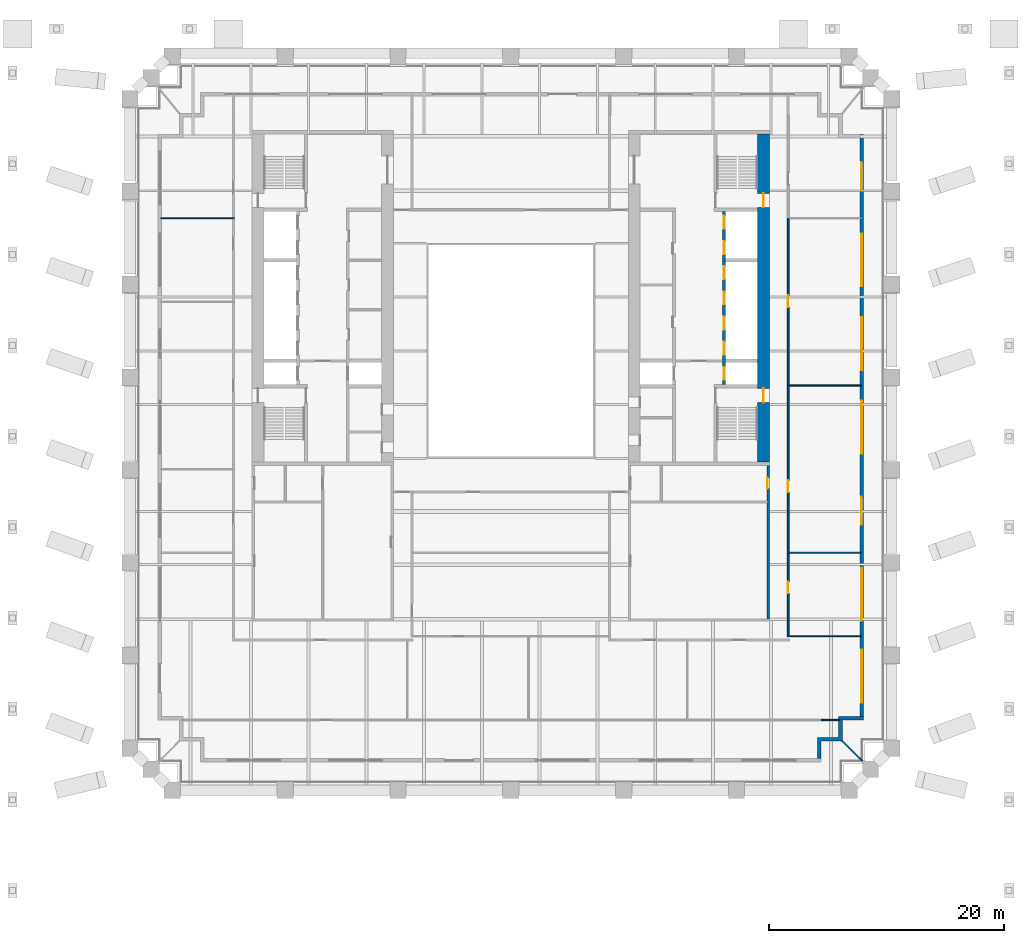
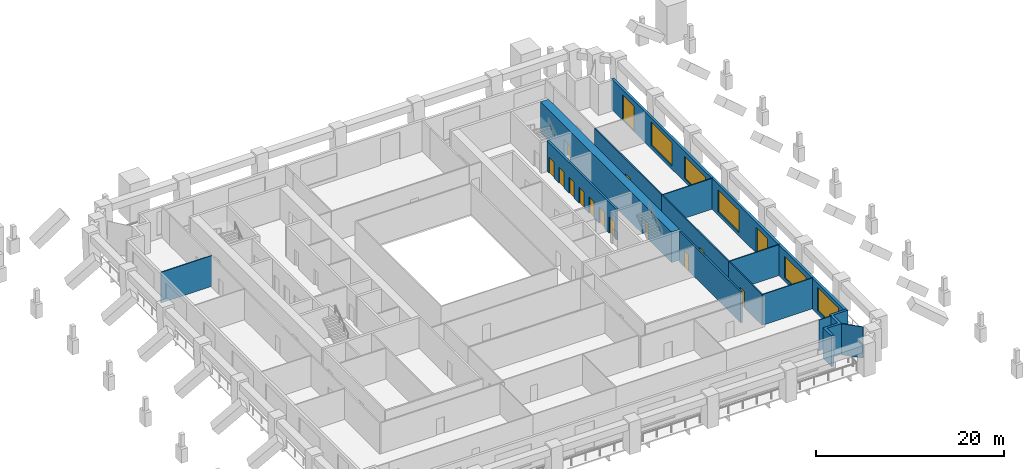
# One storey, part 6 of 10: 15 doors, 14 walls, 5 windows, 20 openings.
"""IFC4 building model written with IfcOpenShell, lengths in metres."""

from ifc_helpers import new_model, si_unit, direction, frame, frame_2d, origin, place, context, subcontext, project, spatial, polyline, rectangle, outline, extrude, material, layer, layer_set, type_object, element, fill, save


model = new_model("IFC4")

# Units and contexts
model_context = context("Model", 3, precision=1e-05, world=origin(), true_north=direction((0.0, 1.0)))
body_context = subcontext(model_context, "Body", "Model", "MODEL_VIEW")
ifc_project = project(units=[si_unit("LENGTHUNIT", "METRE"), si_unit("AREAUNIT", "SQUARE_METRE"), si_unit("VOLUMEUNIT", "CUBIC_METRE"), si_unit("PLANEANGLEUNIT", "RADIAN"), si_unit("MASSUNIT", "GRAM", prefix="KILO")], contexts=[model_context])

# Site, building, storey
site_placement = place(None, origin())
site = spatial("IfcSite", under=ifc_project, at=site_placement, CompositionType="ELEMENT")
building_placement = place(site_placement, origin())
building = spatial("IfcBuilding", under=site, at=building_placement, Name="Ogive Exchange Tower", CompositionType="ELEMENT")
storey_placement = place(building_placement, frame((0.0, 0.0, 39.60009765625)))
storey = spatial("IfcBuildingStorey", under=building, at=storey_placement, Name="L07", CompositionType="ELEMENT", Elevation=39.60009765625)

# Wall, opening, door
ifc_material_1 = material(Name="Fire partition EI 60 150")
ifc_layer_1 = layer(ifc_material_1, 0.14990234375)
ifc_layer_set_1 = layer_set([ifc_layer_1], Name="Fire partition EI 60 150")
wall_type_1 = type_object("IfcWallType", Name="Fire partition EI 60 150", PredefinedType="PARTITIONING", material=ifc_layer_set_1)
wall_1_placement = place(storey_placement, frame((23.60009765625, -10.219970703125, 0.0), z_axis=(0.0, 0.0, 1.0), x_axis=(0.0, -1.0, 0.0)))
wall_1 = element("IfcWall", 1, at=wall_1_placement, inside=storey, type_object=wall_type_1, Name="L07-PWL-038", PredefinedType="PARTITIONING", context=body_context, shape_type="SweptSolid", body=[
    extrude(rectangle(XDim=7.1201171875, YDim=0.14990234375, at=frame_2d((3.56005859375, 0.0))), origin(), (0.0, 0.0, 1.0), 4.0),
])
opening_1_placement = place(wall_1_placement, frame((2.419921875, 0.0, 0.0)))
opening_1 = element("IfcOpeningElement", 2, at=opening_1_placement, cuts=wall_1, Name="Opening L07-I15", PredefinedType="OPENING", context=body_context, shape_type="SweptSolid", body=[
    extrude(rectangle(XDim=1.0, YDim=2.10009765625, at=frame_2d((0.5, 1.050048828125))), frame((0.0, 0.0849609375, 0.0), z_axis=(0.0, -1.0, 0.0), x_axis=(1.0, 0.0, 0.0)), (0.0, 0.0, 1.0), 0.169921875),
])
ifc_material_2 = material(Name="Fire door FD 30S 1000 x 2100")
door_type_1 = type_object("IfcDoorType", Name="Fire door FD 30S 1000 x 2100", OperationType="NOTDEFINED", PredefinedType="DOOR", material=ifc_material_2)
door_1_placement = place(opening_1_placement, origin())
door_1 = element("IfcDoor", 3, at=door_1_placement, inside=storey, type_object=door_type_1, Name="L07-IDR-015", ObjectType="DT3", OperationType="SINGLE_SWING_RIGHT", OverallHeight=2.10009765625, OverallWidth=1.0, PredefinedType="DOOR", context=body_context, shape_type="SweptSolid", body=[
    extrude(rectangle(XDim=1.0, YDim=2.10009765625, at=frame_2d((0.5, 1.050048828125))), frame((0.0, 0.02490234375, 0.0), z_axis=(0.0, -1.0, 0.0), x_axis=(1.0, 0.0, 0.0)), (0.0, 0.0, 1.0), 0.050048828125),
])
fill(opening_1, door_1)

wall_2_placement = place(storey_placement, frame((23.60009765625, 4.110107421875, 0.0), z_axis=(0.0, 0.0, 1.0), x_axis=(0.0, -1.0, 0.0)))
wall_2 = element("IfcWall", 4, at=wall_2_placement, inside=storey, type_object=wall_type_1, Name="L07-PWL-039", PredefinedType="PARTITIONING", context=body_context, shape_type="SweptSolid", body=[
    extrude(rectangle(XDim=14.330078125, YDim=0.14990234375, at=frame_2d((7.1650390625, 0.0))), origin(), (0.0, 0.0, 1.0), 4.0),
])
opening_2_placement = place(wall_2_placement, frame((8.1298828125, 0.0, 0.0)))
opening_2 = element("IfcOpeningElement", 5, at=opening_2_placement, cuts=wall_2, Name="Opening L07-I05", PredefinedType="OPENING", context=body_context, shape_type="SweptSolid", body=[
    extrude(rectangle(XDim=1.0, YDim=2.10009765625, at=frame_2d((0.5, 1.050048828125))), frame((0.0, 0.0849609375, 0.0), z_axis=(0.0, -1.0, 0.0), x_axis=(1.0, 0.0, 0.0)), (0.0, 0.0, 1.0), 0.169921875),
])
door_2_placement = place(opening_2_placement, origin())
door_2 = element("IfcDoor", 6, at=door_2_placement, inside=storey, type_object=door_type_1, Name="L07-IDR-005", ObjectType="DT3", OperationType="SINGLE_SWING_RIGHT", OverallHeight=2.10009765625, OverallWidth=1.0, PredefinedType="DOOR", context=body_context, shape_type="SweptSolid", body=[
    extrude(rectangle(XDim=1.0, YDim=2.10009765625, at=frame_2d((0.5, 1.050048828125))), frame((0.0, 0.02490234375, 0.0), z_axis=(0.0, -1.0, 0.0), x_axis=(1.0, 0.0, 0.0)), (0.0, 0.0, 1.0), 0.050048828125),
])
fill(opening_2, door_2)

wall_3_placement = place(storey_placement, frame((23.60009765625, 18.340087890625, 0.0), z_axis=(0.0, 0.0, 1.0), x_axis=(0.0, -1.0, 0.0)))
wall_3 = element("IfcWall", 7, at=wall_3_placement, inside=storey, type_object=wall_type_1, Name="L07-PWL-041", PredefinedType="PARTITIONING", context=body_context, shape_type="SweptSolid", body=[
    extrude(rectangle(XDim=14.22998046875, YDim=0.14990234375, at=frame_2d((7.114990234375, 0.0))), origin(), (0.0, 0.0, 1.0), 4.0),
])
opening_3_placement = place(wall_3_placement, frame((6.6298828125, 0.0, 0.0)))
opening_3 = element("IfcOpeningElement", 8, at=opening_3_placement, cuts=wall_3, Name="Opening L07-I06", PredefinedType="OPENING", context=body_context, shape_type="SweptSolid", body=[
    extrude(rectangle(XDim=1.0, YDim=2.10009765625, at=frame_2d((0.5, 1.050048828125))), frame((0.0, 0.0849609375, 0.0), z_axis=(0.0, -1.0, 0.0), x_axis=(1.0, 0.0, 0.0)), (0.0, 0.0, 1.0), 0.169921875),
])
door_3_placement = place(opening_3_placement, origin())
door_3 = element("IfcDoor", 9, at=door_3_placement, inside=storey, type_object=door_type_1, Name="L07-IDR-006", ObjectType="DT3", OperationType="SINGLE_SWING_RIGHT", OverallHeight=2.10009765625, OverallWidth=1.0, PredefinedType="DOOR", context=body_context, shape_type="SweptSolid", body=[
    extrude(rectangle(XDim=1.0, YDim=2.10009765625, at=frame_2d((0.5, 1.050048828125))), frame((0.0, 0.02490234375, 0.0), z_axis=(0.0, -1.0, 0.0), x_axis=(1.0, 0.0, 0.0)), (0.0, 0.0, 1.0), 0.050048828125),
])
fill(opening_3, door_3)

# Wall, openings, doors, windows
ifc_material_3 = material(Name="Precast concrete C40/50", Category="concrete")
ifc_layer_2 = layer(ifc_material_3, 0.300048828125)
ifc_layer_set_2 = layer_set([ifc_layer_2], Name="Limestone-faced wall 300")
wall_type_2 = type_object("IfcWallType", Name="Limestone-faced wall 300", PredefinedType="STANDARD", material=ifc_layer_set_2)
wall_4_placement = place(storey_placement, frame((29.85009765625, -24.10009765625, 0.0), z_axis=(0.0, 0.0, 1.0), x_axis=(0.0, 1.0, 0.0)))
wall_4 = element("IfcWall", 10, at=wall_4_placement, inside=storey, type_object=wall_type_2, Name="External wall E2", PredefinedType="STANDARD", context=body_context, shape_type="SweptSolid", body=[
    extrude(rectangle(XDim=49.5, YDim=0.300048828125, at=frame_2d((24.75, 0.0))), origin(), (0.0, 0.0, 1.0), 4.0),
])
opening_4_placement = place(wall_4_placement, frame((1.156982421875, 0.0, 0.449951171875)))
opening_4 = element("IfcOpeningElement", 11, at=opening_4_placement, cuts=wall_4, Name="Opening W1", PredefinedType="OPENING", context=body_context, shape_type="SweptSolid", body=[
    extrude(rectangle(XDim=4.5, YDim=3.050048828125, at=frame_2d((2.25, 1.52490234375))), frame((0.0, 0.159912109375, 0.0), z_axis=(0.0, -1.0, 0.0), x_axis=(1.0, 0.0, 0.0)), (0.0, 0.0, 1.0), 0.320068359375),
])
opening_5_placement = place(wall_4_placement, frame((8.121337890625, 0.0, 0.449951171875)))
opening_5 = element("IfcOpeningElement", 12, at=opening_5_placement, cuts=wall_4, Name="Opening W1E", PredefinedType="OPENING", context=body_context, shape_type="SweptSolid", body=[
    extrude(rectangle(XDim=4.5, YDim=2.824951171875, at=frame_2d((2.25, 1.41259765625))), frame((0.0, 0.159912109375, 0.0), z_axis=(0.0, -1.0, 0.0), x_axis=(1.0, 0.0, 0.0)), (0.0, 0.0, 1.0), 0.320068359375),
])
opening_6_placement = place(wall_4_placement, frame((16.28564453125, 0.0, 0.0)))
opening_6 = element("IfcOpeningElement", 13, at=opening_6_placement, cuts=wall_4, Name="Opening D1C", PredefinedType="OPENING", context=body_context, shape_type="SweptSolid", body=[
    extrude(rectangle(XDim=2.39990234375, YDim=3.324951171875, at=frame_2d((1.199951171875, 1.66259765625))), frame((0.0, 0.159912109375, 0.0), z_axis=(0.0, -1.0, 0.0), x_axis=(1.0, 0.0, 0.0)), (0.0, 0.0, 1.0), 0.320068359375),
])
opening_7_placement = place(wall_4_placement, frame((22.35009765625, 0.0, 0.449951171875)))
opening_7 = element("IfcOpeningElement", 14, at=opening_7_placement, cuts=wall_4, Name="Opening W1D", PredefinedType="OPENING", context=body_context, shape_type="SweptSolid", body=[
    extrude(rectangle(XDim=4.5, YDim=2.875, at=frame_2d((2.25, 1.4375))), frame((0.0, 0.159912109375, 0.0), z_axis=(0.0, -1.0, 0.0), x_axis=(1.0, 0.0, 0.0)), (0.0, 0.0, 1.0), 0.320068359375),
])
opening_8_placement = place(wall_4_placement, frame((29.464111328125, 0.0, 0.449951171875)))
opening_8 = element("IfcOpeningElement", 15, at=opening_8_placement, cuts=wall_4, Name="Opening W1D", PredefinedType="OPENING", context=body_context, shape_type="SweptSolid", body=[
    extrude(rectangle(XDim=4.5, YDim=2.875, at=frame_2d((2.25, 1.4375))), frame((0.0, 0.159912109375, 0.0), z_axis=(0.0, -1.0, 0.0), x_axis=(1.0, 0.0, 0.0)), (0.0, 0.0, 1.0), 0.320068359375),
])
opening_9_placement = place(wall_4_placement, frame((36.57861328125, 0.0, 0.449951171875)))
opening_9 = element("IfcOpeningElement", 16, at=opening_9_placement, cuts=wall_4, Name="Opening W1", PredefinedType="OPENING", context=body_context, shape_type="SweptSolid", body=[
    extrude(rectangle(XDim=4.5, YDim=3.050048828125, at=frame_2d((2.25, 1.52490234375))), frame((0.0, 0.159912109375, 0.0), z_axis=(0.0, -1.0, 0.0), x_axis=(1.0, 0.0, 0.0)), (0.0, 0.0, 1.0), 0.320068359375),
])
opening_10_placement = place(wall_4_placement, frame((44.742919921875, 0.0, 0.0)))
opening_10 = element("IfcOpeningElement", 17, at=opening_10_placement, cuts=wall_4, Name="Opening D1C", PredefinedType="OPENING", context=body_context, shape_type="SweptSolid", body=[
    extrude(rectangle(XDim=2.39990234375, YDim=3.324951171875, at=frame_2d((1.199951171875, 1.66259765625))), frame((0.0, 0.159912109375, 0.0), z_axis=(0.0, -1.0, 0.0), x_axis=(1.0, 0.0, 0.0)), (0.0, 0.0, 1.0), 0.320068359375),
])
ifc_material_4 = material(Name="Clear glass in bronze frame", Category="glass")
door_type_2 = type_object("IfcDoorType", Name="Sliding loggia door 2400 x 3325", OperationType="DOUBLE_DOOR_SLIDING", PredefinedType="DOOR", material=ifc_material_4)
door_4_placement = place(opening_6_placement, origin())
door_4 = element("IfcDoor", 18, at=door_4_placement, inside=storey, type_object=door_type_2, Name="Loggia door E02", OperationType="DOUBLE_DOOR_SLIDING", OverallHeight=3.324951171875, OverallWidth=2.39990234375, PredefinedType="DOOR", context=body_context, shape_type="SweptSolid", body=[
    extrude(rectangle(XDim=2.39990234375, YDim=3.324951171875, at=frame_2d((1.199951171875, 1.66259765625))), frame((0.0, 0.02490234375, 0.0), z_axis=(0.0, -1.0, 0.0), x_axis=(1.0, 0.0, 0.0)), (0.0, 0.0, 1.0), 0.050048828125),
])
fill(opening_6, door_4)
door_5_placement = place(opening_10_placement, origin())
door_5 = element("IfcDoor", 19, at=door_5_placement, inside=storey, type_object=door_type_2, Name="Loggia door E06", OperationType="DOUBLE_DOOR_SLIDING", OverallHeight=3.324951171875, OverallWidth=2.39990234375, PredefinedType="DOOR", context=body_context, shape_type="SweptSolid", body=[
    extrude(rectangle(XDim=2.39990234375, YDim=3.324951171875, at=frame_2d((1.199951171875, 1.66259765625))), frame((0.0, 0.02490234375, 0.0), z_axis=(0.0, -1.0, 0.0), x_axis=(1.0, 0.0, 0.0)), (0.0, 0.0, 1.0), 0.050048828125),
])
fill(opening_10, door_5)
window_type_1 = type_object("IfcWindowType", Name="Twin lancet window 4500 x 2825", PartitioningType="DOUBLE_PANEL_VERTICAL", PredefinedType="WINDOW", material=ifc_material_4)
window_1_placement = place(opening_5_placement, origin())
window_1 = element("IfcWindow", 20, at=window_1_placement, inside=storey, type_object=window_type_1, Name="Window E01", OverallHeight=2.824951171875, OverallWidth=4.5, PartitioningType="DOUBLE_PANEL_VERTICAL", PredefinedType="WINDOW", context=body_context, shape_type="SweptSolid", body=[
    extrude(rectangle(XDim=4.5, YDim=2.824951171875, at=frame_2d((2.25, 1.41259765625))), frame((0.0, 0.030029296875, 0.0), z_axis=(0.0, -1.0, 0.0), x_axis=(1.0, 0.0, 0.0)), (0.0, 0.0, 1.0), 0.06005859375),
])
fill(opening_5, window_1)
window_type_2 = type_object("IfcWindowType", Name="Twin lancet window 4500 x 2875", PartitioningType="DOUBLE_PANEL_VERTICAL", PredefinedType="WINDOW", material=ifc_material_4)
window_2_placement = place(opening_7_placement, origin())
window_2 = element("IfcWindow", 21, at=window_2_placement, inside=storey, type_object=window_type_2, Name="Window E03", OverallHeight=2.875, OverallWidth=4.5, PartitioningType="DOUBLE_PANEL_VERTICAL", PredefinedType="WINDOW", context=body_context, shape_type="SweptSolid", body=[
    extrude(rectangle(XDim=4.5, YDim=2.875, at=frame_2d((2.25, 1.4375))), frame((0.0, 0.030029296875, 0.0), z_axis=(0.0, -1.0, 0.0), x_axis=(1.0, 0.0, 0.0)), (0.0, 0.0, 1.0), 0.06005859375),
])
fill(opening_7, window_2)
window_3_placement = place(opening_8_placement, origin())
window_3 = element("IfcWindow", 22, at=window_3_placement, inside=storey, type_object=window_type_2, Name="Window E04", OverallHeight=2.875, OverallWidth=4.5, PartitioningType="DOUBLE_PANEL_VERTICAL", PredefinedType="WINDOW", context=body_context, shape_type="SweptSolid", body=[
    extrude(rectangle(XDim=4.5, YDim=2.875, at=frame_2d((2.25, 1.4375))), frame((0.0, 0.030029296875, 0.0), z_axis=(0.0, -1.0, 0.0), x_axis=(1.0, 0.0, 0.0)), (0.0, 0.0, 1.0), 0.06005859375),
])
fill(opening_8, window_3)
window_type_3 = type_object("IfcWindowType", Name="Twin lancet window 4500 x 3050", PartitioningType="DOUBLE_PANEL_VERTICAL", PredefinedType="WINDOW", material=ifc_material_4)
window_4_placement = place(opening_4_placement, origin())
window_4 = element("IfcWindow", 23, at=window_4_placement, inside=storey, type_object=window_type_3, Name="Window E00", OverallHeight=3.050048828125, OverallWidth=4.5, PartitioningType="DOUBLE_PANEL_VERTICAL", PredefinedType="WINDOW", context=body_context, shape_type="SweptSolid", body=[
    extrude(rectangle(XDim=4.5, YDim=3.050048828125, at=frame_2d((2.25, 1.52490234375))), frame((0.0, 0.030029296875, 0.0), z_axis=(0.0, -1.0, 0.0), x_axis=(1.0, 0.0, 0.0)), (0.0, 0.0, 1.0), 0.06005859375),
])
fill(opening_4, window_4)
window_5_placement = place(opening_9_placement, origin())
window_5 = element("IfcWindow", 24, at=window_5_placement, inside=storey, type_object=window_type_3, Name="Window E05", OverallHeight=3.050048828125, OverallWidth=4.5, PartitioningType="DOUBLE_PANEL_VERTICAL", PredefinedType="WINDOW", context=body_context, shape_type="SweptSolid", body=[
    extrude(rectangle(XDim=4.5, YDim=3.050048828125, at=frame_2d((2.25, 1.52490234375))), frame((0.0, 0.030029296875, 0.0), z_axis=(0.0, -1.0, 0.0), x_axis=(1.0, 0.0, 0.0)), (0.0, 0.0, 1.0), 0.06005859375),
])
fill(opening_9, window_5)

# Walls
wall_5_placement = place(storey_placement, origin())
element("IfcWall", 25, at=wall_5_placement, inside=storey, type_object=wall_type_2, Name="External corner wall C1", PredefinedType="STANDARD", context=body_context, shape_type="SweptSolid", body=[
    extrude(outline(polyline([(27.89990234375, -25.89990234375), (27.89990234375, -24.10009765625), (30.0, -24.10009765625), (30.0, -24.39990234375), (28.199951171875, -24.39990234375), (28.199951171875, -26.199951171875), (26.39990234375, -26.199951171875), (26.39990234375, -27.699951171875), (26.10009765625, -27.699951171875), (26.10009765625, -25.89990234375), (27.89990234375, -25.89990234375)])), origin(), (0.0, 0.0, 1.0), 4.0),
])
ifc_material_5 = material(Name="Laminated safety glass in steel frame", Category="steel")
ifc_layer_3 = layer(ifc_material_5, 0.10009765625)
ifc_layer_set_3 = layer_set([ifc_layer_3], Name="Loggia end screen 100")
wall_type_3 = type_object("IfcWallType", Name="Loggia end screen 100", PredefinedType="STANDARD", material=ifc_layer_set_3)
wall_6_placement = place(storey_placement, frame((28.199951171875, -26.199951171875, -0.050048828125), z_axis=(0.0, 0.0, 1.0), x_axis=(0.707106781187, -0.707106781187, 0.0)))
element("IfcWall", 26, at=wall_6_placement, inside=storey, type_object=wall_type_3, Name="Loggia end screen C1", PredefinedType="STANDARD", context=body_context, shape_type="SweptSolid", body=[
    extrude(rectangle(XDim=2.384521484375, YDim=0.10009765625, at=frame_2d((1.1923828125, 0.0))), origin(), (0.0, 0.0, 1.0), 4.050048828125),
])
ifc_material_6 = material(Name="Partition 100 gypsum")
ifc_layer_4 = layer(ifc_material_6, 0.10009765625)
ifc_layer_set_4 = layer_set([ifc_layer_4], Name="Partition 100 gypsum")
wall_type_4 = type_object("IfcWallType", Name="Partition 100 gypsum", PredefinedType="PARTITIONING", material=ifc_layer_set_4)
wall_7_placement = place(storey_placement, frame((-29.800048828125, 18.2900390625, 0.0), z_axis=(0.0, 0.0, 1.0), x_axis=(1.0, 0.0, 0.0)))
element("IfcWall", 27, at=wall_7_placement, inside=storey, type_object=wall_type_4, Name="L07-PWL-003", PredefinedType="PARTITIONING", context=body_context, shape_type="SweptSolid", body=[
    extrude(rectangle(XDim=6.275146484375, YDim=0.10009765625, at=frame_2d((3.1376953125, 0.0))), origin(), (0.0, 0.0, 1.0), 4.0),
])
wall_8_placement = place(storey_placement, frame((23.675048828125, 4.06005859375, 0.0), z_axis=(0.0, 0.0, 1.0), x_axis=(1.0, 0.0, 0.0)))
element("IfcWall", 28, at=wall_8_placement, inside=storey, type_object=wall_type_4, Name="L07-PWL-040", PredefinedType="PARTITIONING", context=body_context, shape_type="SweptSolid", body=[
    extrude(rectangle(XDim=6.125, YDim=0.10009765625, at=frame_2d((3.0625, 0.0))), origin(), (0.0, 0.0, 1.0), 4.0),
])
wall_9_placement = place(storey_placement, frame((26.409912109375, -24.409912109375, 0.0), z_axis=(0.0, 0.0, 1.0), x_axis=(1.0, 0.0, 0.0)))
element("IfcWall", 29, at=wall_9_placement, inside=storey, type_object=wall_type_4, Name="L07-PWL-044", PredefinedType="PARTITIONING", context=body_context, shape_type="SweptSolid", body=[
    extrude(rectangle(XDim=1.590087890625, YDim=0.10009765625, at=frame_2d((0.794921875, 0.0))), origin(), (0.0, 0.0, 1.0), 4.0),
])
for number, where, z_axis, x_axis, name in (
    (30, (29.800048828125, -17.2900390625, 0.0), (0.0, 0.0, 1.0), (-1.0, 0.0, 0.0), "L07-PWL-045"),
    (31, (29.800048828125, -10.169921875, 0.0), (0.0, 0.0, 1.0), (-1.0, 0.0, 0.0), "L07-PWL-046"),
):
    element("IfcWall", number, at=place(storey_placement, frame(where, z_axis=z_axis, x_axis=x_axis)), inside=storey, type_object=wall_type_4, Name=name, PredefinedType="PARTITIONING", context=body_context, shape_type="SweptSolid", body=[
        extrude(rectangle(XDim=6.125, YDim=0.10009765625, at=frame_2d((3.0625, 0.0))), origin(), (0.0, 0.0, 1.0), 4.0),
    ])

# Wall, openings, doors
ifc_material_7 = material(Name="Concrete C70/85", Category="concrete")
ifc_layer_5 = layer(ifc_material_7, 1.0)
ifc_layer_set_5 = layer_set([ifc_layer_5], Name="RC core wall 1000 C70/85")
wall_type_5 = type_object("IfcWallType", Name="RC core wall 1000 C70/85", PredefinedType="SHEAR", material=ifc_layer_set_5)
wall_10_placement = place(storey_placement, frame((21.5, -2.449951171875, 0.0), z_axis=(0.0, 0.0, 1.0), x_axis=(0.0, 1.0, 0.0)))
wall_10 = element("IfcWall", 32, at=wall_10_placement, inside=storey, type_object=wall_type_5, Name="E outer wall", PredefinedType="SHEAR", context=body_context, shape_type="SweptSolid", body=[
    extrude(rectangle(XDim=27.89990234375, YDim=1.0, at=frame_2d((13.949951171875, 0.0))), origin(), (0.0, 0.0, 1.0), 4.0),
])
opening_11_placement = place(wall_10_placement, frame((5.050048828125, 0.0, 0.0)))
opening_11 = element("IfcOpeningElement", 33, at=opening_11_placement, cuts=wall_10, Name="Opening L07-C37", PredefinedType="OPENING", context=body_context, shape_type="SweptSolid", body=[
    extrude(rectangle(XDim=1.199951171875, YDim=2.10009765625, at=frame_2d((0.60009765625, 1.050048828125))), frame((0.0, 0.510009765625, 0.0), z_axis=(0.0, -1.0, 0.0), x_axis=(1.0, 0.0, 0.0)), (0.0, 0.0, 1.0), 1.02001953125),
])
opening_12_placement = place(wall_10_placement, frame((21.64990234375, 0.0, 0.0)))
opening_12 = element("IfcOpeningElement", 34, at=opening_12_placement, cuts=wall_10, Name="Opening L07-C39", PredefinedType="OPENING", context=body_context, shape_type="SweptSolid", body=[
    extrude(rectangle(XDim=1.199951171875, YDim=2.10009765625, at=frame_2d((0.60009765625, 1.050048828125))), frame((0.0, 0.510009765625, 0.0), z_axis=(0.0, -1.0, 0.0), x_axis=(1.0, 0.0, 0.0)), (0.0, 0.0, 1.0), 1.02001953125),
])
ifc_material_8 = material(Name="Steel fire door", Category="steel")
door_type_3 = type_object("IfcDoorType", Name="Stair door FD90 1200 x 2100", OperationType="NOTDEFINED", PredefinedType="DOOR", material=ifc_material_8)
door_6_placement = place(opening_11_placement, origin())
door_6 = element("IfcDoor", 35, at=door_6_placement, inside=storey, type_object=door_type_3, Name="Stair door", ObjectType="CD5", OperationType="SINGLE_SWING_LEFT", OverallHeight=2.10009765625, OverallWidth=1.199951171875, PredefinedType="DOOR", context=body_context, shape_type="SweptSolid", body=[
    extrude(rectangle(XDim=1.199951171875, YDim=2.10009765625, at=frame_2d((0.60009765625, 1.050048828125))), frame((0.0, 0.02490234375, 0.0), z_axis=(0.0, -1.0, 0.0), x_axis=(1.0, 0.0, 0.0)), (0.0, 0.0, 1.0), 0.050048828125),
])
fill(opening_11, door_6)
door_7_placement = place(opening_12_placement, origin())
door_7 = element("IfcDoor", 36, at=door_7_placement, inside=storey, type_object=door_type_3, Name="Stair door", ObjectType="CD5", OperationType="SINGLE_SWING_RIGHT", OverallHeight=2.10009765625, OverallWidth=1.199951171875, PredefinedType="DOOR", context=body_context, shape_type="SweptSolid", body=[
    extrude(rectangle(XDim=1.199951171875, YDim=2.10009765625, at=frame_2d((0.60009765625, 1.050048828125))), frame((0.0, 0.02490234375, 0.0), z_axis=(0.0, -1.0, 0.0), x_axis=(1.0, 0.0, 0.0)), (0.0, 0.0, 1.0), 0.050048828125),
])
fill(opening_12, door_7)

# Wall, opening, door
ifc_layer_6 = layer(ifc_material_7, 0.199951171875)
ifc_layer_set_6 = layer_set([ifc_layer_6], Name="RC core wall 200 C70/85")
wall_type_6 = type_object("IfcWallType", Name="RC core wall 200 C70/85", PredefinedType="SHEAR", material=ifc_layer_set_6)
wall_11_placement = place(storey_placement, frame((21.89990234375, -15.800048828125, 0.0), z_axis=(0.0, 0.0, 1.0), x_axis=(0.0, 1.0, 0.0)))
wall_11 = element("IfcWall", 37, at=wall_11_placement, inside=storey, type_object=wall_type_6, Name="E annex S outer wall", PredefinedType="SHEAR", context=body_context, shape_type="SweptSolid", body=[
    extrude(rectangle(XDim=13.050048828125, YDim=0.199951171875, at=frame_2d((6.52490234375, 0.0))), origin(), (0.0, 0.0, 1.0), 4.0),
])
opening_13_placement = place(wall_11_placement, frame((11.08740234375, 0.0, 0.0)))
opening_13 = element("IfcOpeningElement", 38, at=opening_13_placement, cuts=wall_11, Name="Opening L07-C44", PredefinedType="OPENING", context=body_context, shape_type="SweptSolid", body=[
    extrude(rectangle(XDim=0.89990234375, YDim=2.10009765625, at=frame_2d((0.449951171875, 1.050048828125))), frame((0.0, 0.10986328125, 0.0), z_axis=(0.0, -1.0, 0.0), x_axis=(1.0, 0.0, 0.0)), (0.0, 0.0, 1.0), 0.219970703125),
])
door_type_4 = type_object("IfcDoorType", Name="Riser door FD60 900 x 2100", OperationType="NOTDEFINED", PredefinedType="DOOR", material=ifc_material_8)
door_8_placement = place(opening_13_placement, origin())
door_8 = element("IfcDoor", 39, at=door_8_placement, inside=storey, type_object=door_type_4, Name="Riser door", ObjectType="CD2", OperationType="SINGLE_SWING_RIGHT", OverallHeight=2.10009765625, OverallWidth=0.89990234375, PredefinedType="DOOR", context=body_context, shape_type="SweptSolid", body=[
    extrude(rectangle(XDim=0.89990234375, YDim=2.10009765625, at=frame_2d((0.449951171875, 1.050048828125))), frame((0.0, 0.10009765625, 0.0), z_axis=(0.0, -1.0, 0.0), x_axis=(1.0, 0.0, 0.0)), (0.0, 0.0, 1.0), 0.050048828125),
])
fill(opening_13, door_8)

# Wall, openings, doors
ifc_layer_7 = layer(ifc_material_7, 0.25)
ifc_layer_set_7 = layer_set([ifc_layer_7], Name="RC core wall 250 C70/85")
wall_type_7 = type_object("IfcWallType", Name="RC core wall 250 C70/85", PredefinedType="SHEAR", material=ifc_layer_set_7)
wall_12_placement = place(storey_placement, frame((18.125, 4.14990234375, 0.0), z_axis=(0.0, 0.0, 1.0), x_axis=(0.0, 1.0, 0.0)))
wall_12 = element("IfcWall", 40, at=wall_12_placement, inside=storey, type_object=wall_type_7, Name="E row A front wall", PredefinedType="SHEAR", context=body_context, shape_type="SweptSolid", body=[
    extrude(rectangle(XDim=14.7001953125, YDim=0.25, at=frame_2d((7.35009765625, 0.0))), origin(), (0.0, 0.0, 1.0), 4.0),
])
opening_14_placement = place(wall_12_placement, frame((0.371337890625, 0.0, 0.0)))
opening_14 = element("IfcOpeningElement", 41, at=opening_14_placement, cuts=wall_12, Name="Opening L07-C24", PredefinedType="OPENING", context=body_context, shape_type="SweptSolid", body=[
    extrude(rectangle(XDim=1.10009765625, YDim=2.10009765625, at=frame_2d((0.550048828125, 1.050048828125))), frame((0.0, 0.135009765625, 0.0), z_axis=(0.0, -1.0, 0.0), x_axis=(1.0, 0.0, 0.0)), (0.0, 0.0, 1.0), 0.27001953125),
])
opening_15_placement = place(wall_12_placement, frame((2.514404296875, 0.0, 0.0)))
opening_15 = element("IfcOpeningElement", 42, at=opening_15_placement, cuts=wall_12, Name="Opening L07-C25", PredefinedType="OPENING", context=body_context, shape_type="SweptSolid", body=[
    extrude(rectangle(XDim=1.10009765625, YDim=2.10009765625, at=frame_2d((0.550048828125, 1.050048828125))), frame((0.0, 0.135009765625, 0.0), z_axis=(0.0, -1.0, 0.0), x_axis=(1.0, 0.0, 0.0)), (0.0, 0.0, 1.0), 0.27001953125),
])
opening_16_placement = place(wall_12_placement, frame((4.656982421875, 0.0, 0.0)))
opening_16 = element("IfcOpeningElement", 43, at=opening_16_placement, cuts=wall_12, Name="Opening L07-C26", PredefinedType="OPENING", context=body_context, shape_type="SweptSolid", body=[
    extrude(rectangle(XDim=1.10009765625, YDim=2.10009765625, at=frame_2d((0.550048828125, 1.050048828125))), frame((0.0, 0.135009765625, 0.0), z_axis=(0.0, -1.0, 0.0), x_axis=(1.0, 0.0, 0.0)), (0.0, 0.0, 1.0), 0.27001953125),
])
opening_17_placement = place(wall_12_placement, frame((6.800048828125, 0.0, 0.0)))
opening_17 = element("IfcOpeningElement", 44, at=opening_17_placement, cuts=wall_12, Name="Opening L07-C27", PredefinedType="OPENING", context=body_context, shape_type="SweptSolid", body=[
    extrude(rectangle(XDim=1.10009765625, YDim=2.10009765625, at=frame_2d((0.550048828125, 1.050048828125))), frame((0.0, 0.135009765625, 0.0), z_axis=(0.0, -1.0, 0.0), x_axis=(1.0, 0.0, 0.0)), (0.0, 0.0, 1.0), 0.27001953125),
])
opening_18_placement = place(wall_12_placement, frame((8.94287109375, 0.0, 0.0)))
opening_18 = element("IfcOpeningElement", 45, at=opening_18_placement, cuts=wall_12, Name="Opening L07-C28", PredefinedType="OPENING", context=body_context, shape_type="SweptSolid", body=[
    extrude(rectangle(XDim=1.10009765625, YDim=2.10009765625, at=frame_2d((0.550048828125, 1.050048828125))), frame((0.0, 0.135009765625, 0.0), z_axis=(0.0, -1.0, 0.0), x_axis=(1.0, 0.0, 0.0)), (0.0, 0.0, 1.0), 0.27001953125),
])
opening_19_placement = place(wall_12_placement, frame((11.085693359375, 0.0, 0.0)))
opening_19 = element("IfcOpeningElement", 46, at=opening_19_placement, cuts=wall_12, Name="Opening L07-C29", PredefinedType="OPENING", context=body_context, shape_type="SweptSolid", body=[
    extrude(rectangle(XDim=1.10009765625, YDim=2.10009765625, at=frame_2d((0.550048828125, 1.050048828125))), frame((0.0, 0.135009765625, 0.0), z_axis=(0.0, -1.0, 0.0), x_axis=(1.0, 0.0, 0.0)), (0.0, 0.0, 1.0), 0.27001953125),
])
opening_20_placement = place(wall_12_placement, frame((13.228515625, 0.0, 0.0)))
opening_20 = element("IfcOpeningElement", 47, at=opening_20_placement, cuts=wall_12, Name="Opening L07-C30", PredefinedType="OPENING", context=body_context, shape_type="SweptSolid", body=[
    extrude(rectangle(XDim=1.10009765625, YDim=2.10009765625, at=frame_2d((0.550048828125, 1.050048828125))), frame((0.0, 0.135009765625, 0.0), z_axis=(0.0, -1.0, 0.0), x_axis=(1.0, 0.0, 0.0)), (0.0, 0.0, 1.0), 0.27001953125),
])
ifc_material_9 = material(Name="Stainless steel", Category="steel")
door_type_5 = type_object("IfcDoorType", Name="Lift landing door FD90 1100 x 2100", OperationType="SLIDING_TO_LEFT", PredefinedType="DOOR", material=ifc_material_9)
door_9_placement = place(opening_14_placement, origin())
door_9 = element("IfcDoor", 48, at=door_9_placement, inside=storey, type_object=door_type_5, Name="Lift landing door FF2", ObjectType="LD", OperationType="SLIDING_TO_LEFT", OverallHeight=2.10009765625, OverallWidth=1.10009765625, PredefinedType="DOOR", context=body_context, shape_type="SweptSolid", body=[
    extrude(rectangle(XDim=1.10009765625, YDim=2.10009765625, at=frame_2d((0.550048828125, 1.050048828125))), frame((0.0, 0.02490234375, 0.0), z_axis=(0.0, -1.0, 0.0), x_axis=(1.0, 0.0, 0.0)), (0.0, 0.0, 1.0), 0.050048828125),
])
fill(opening_14, door_9)
door_10_placement = place(opening_15_placement, origin())
door_10 = element("IfcDoor", 49, at=door_10_placement, inside=storey, type_object=door_type_5, Name="Lift landing door E-L1", ObjectType="LD", OperationType="SLIDING_TO_LEFT", OverallHeight=2.10009765625, OverallWidth=1.10009765625, PredefinedType="DOOR", context=body_context, shape_type="SweptSolid", body=[
    extrude(rectangle(XDim=1.10009765625, YDim=2.10009765625, at=frame_2d((0.550048828125, 1.050048828125))), frame((0.0, 0.02490234375, 0.0), z_axis=(0.0, -1.0, 0.0), x_axis=(1.0, 0.0, 0.0)), (0.0, 0.0, 1.0), 0.050048828125),
])
fill(opening_15, door_10)
door_11_placement = place(opening_16_placement, origin())
door_11 = element("IfcDoor", 50, at=door_11_placement, inside=storey, type_object=door_type_5, Name="Lift landing door E-L2", ObjectType="LD", OperationType="SLIDING_TO_LEFT", OverallHeight=2.10009765625, OverallWidth=1.10009765625, PredefinedType="DOOR", context=body_context, shape_type="SweptSolid", body=[
    extrude(rectangle(XDim=1.10009765625, YDim=2.10009765625, at=frame_2d((0.550048828125, 1.050048828125))), frame((0.0, 0.02490234375, 0.0), z_axis=(0.0, -1.0, 0.0), x_axis=(1.0, 0.0, 0.0)), (0.0, 0.0, 1.0), 0.050048828125),
])
fill(opening_16, door_11)
door_12_placement = place(opening_17_placement, origin())
door_12 = element("IfcDoor", 51, at=door_12_placement, inside=storey, type_object=door_type_5, Name="Lift landing door E-L3", ObjectType="LD", OperationType="SLIDING_TO_LEFT", OverallHeight=2.10009765625, OverallWidth=1.10009765625, PredefinedType="DOOR", context=body_context, shape_type="SweptSolid", body=[
    extrude(rectangle(XDim=1.10009765625, YDim=2.10009765625, at=frame_2d((0.550048828125, 1.050048828125))), frame((0.0, 0.02490234375, 0.0), z_axis=(0.0, -1.0, 0.0), x_axis=(1.0, 0.0, 0.0)), (0.0, 0.0, 1.0), 0.050048828125),
])
fill(opening_17, door_12)
door_13_placement = place(opening_18_placement, origin())
door_13 = element("IfcDoor", 52, at=door_13_placement, inside=storey, type_object=door_type_5, Name="Lift landing door E-L4", ObjectType="LD", OperationType="SLIDING_TO_LEFT", OverallHeight=2.10009765625, OverallWidth=1.10009765625, PredefinedType="DOOR", context=body_context, shape_type="SweptSolid", body=[
    extrude(rectangle(XDim=1.10009765625, YDim=2.10009765625, at=frame_2d((0.550048828125, 1.050048828125))), frame((0.0, 0.02490234375, 0.0), z_axis=(0.0, -1.0, 0.0), x_axis=(1.0, 0.0, 0.0)), (0.0, 0.0, 1.0), 0.050048828125),
])
fill(opening_18, door_13)
door_14_placement = place(opening_19_placement, origin())
door_14 = element("IfcDoor", 53, at=door_14_placement, inside=storey, type_object=door_type_5, Name="Lift landing door E-SH1", ObjectType="LD", OperationType="SLIDING_TO_LEFT", OverallHeight=2.10009765625, OverallWidth=1.10009765625, PredefinedType="DOOR", context=body_context, shape_type="SweptSolid", body=[
    extrude(rectangle(XDim=1.10009765625, YDim=2.10009765625, at=frame_2d((0.550048828125, 1.050048828125))), frame((0.0, 0.02490234375, 0.0), z_axis=(0.0, -1.0, 0.0), x_axis=(1.0, 0.0, 0.0)), (0.0, 0.0, 1.0), 0.050048828125),
])
fill(opening_19, door_14)
door_15_placement = place(opening_20_placement, origin())
door_15 = element("IfcDoor", 54, at=door_15_placement, inside=storey, type_object=door_type_5, Name="Lift landing door E-SH2", ObjectType="LD", OperationType="SLIDING_TO_LEFT", OverallHeight=2.10009765625, OverallWidth=1.10009765625, PredefinedType="DOOR", context=body_context, shape_type="SweptSolid", body=[
    extrude(rectangle(XDim=1.10009765625, YDim=2.10009765625, at=frame_2d((0.550048828125, 1.050048828125))), frame((0.0, 0.02490234375, 0.0), z_axis=(0.0, -1.0, 0.0), x_axis=(1.0, 0.0, 0.0)), (0.0, 0.0, 1.0), 0.050048828125),
])
fill(opening_20, door_15)

save(model, "model.ifc")
